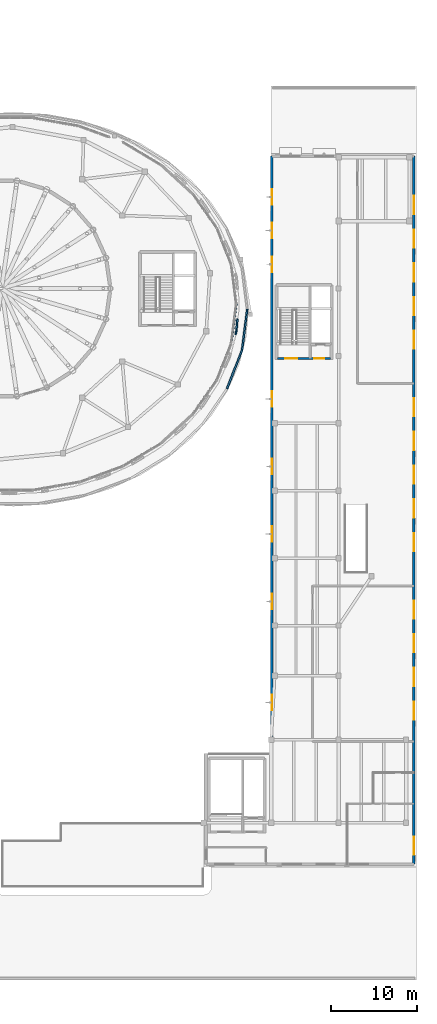
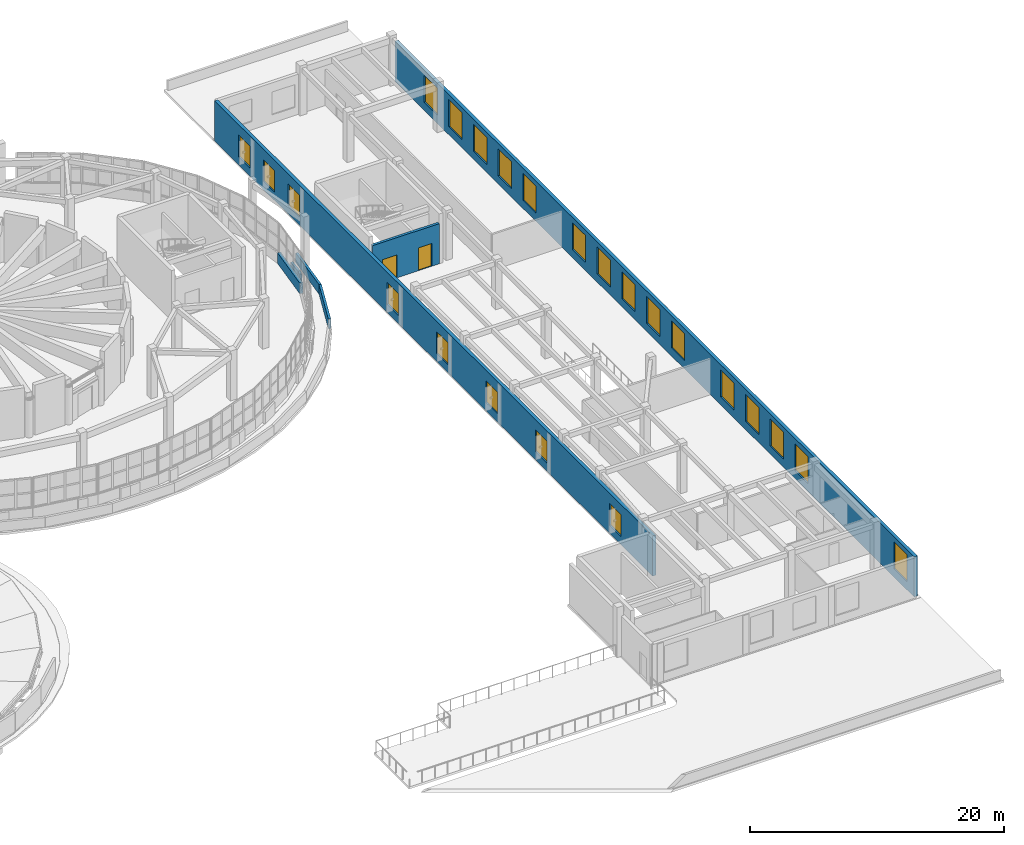
# One storey, part 62 of 69: 23 windows, 8 walls, 2 doors, 25 openings.
"""IFC4 building model written with IfcOpenShell, lengths in metres."""

from ifc_helpers import new_model, si_unit, direction, frame, frame_2d, origin, place, context, subcontext, project, spatial, rectangle, extrude, material, layer, layer_set, type_object, element, fill, save


model = new_model("IFC4")

# Units and contexts
model_context = context("Model", 3, precision=1e-05, world=origin(), true_north=direction((0.0, 1.0)))
body_context = subcontext(model_context, "Body", "Model", "MODEL_VIEW")
ifc_project = project(units=[si_unit("LENGTHUNIT", "METRE"), si_unit("AREAUNIT", "SQUARE_METRE"), si_unit("VOLUMEUNIT", "CUBIC_METRE"), si_unit("PLANEANGLEUNIT", "RADIAN"), si_unit("MASSUNIT", "GRAM", prefix="KILO")], contexts=[model_context])

# Site, building, storey
site_placement = place(None, origin())
site = spatial("IfcSite", under=ifc_project, at=site_placement, CompositionType="ELEMENT")
building_placement = place(site_placement, origin())
building = spatial("IfcBuilding", under=site, at=building_placement, Name="Pelvatis Terrace Science Centre", CompositionType="ELEMENT")
storey_placement = place(building_placement, frame((0.0, 0.0, 15.0)))
storey = spatial("IfcBuildingStorey", under=building, at=storey_placement, Name="L03", CompositionType="ELEMENT", Elevation=15.0)

# Wall, openings, windows
ifc_material_1 = material(Name="Precast concrete C35/45 architectural stone", Category="masonry")
ifc_layer_1 = layer(ifc_material_1, 0.294921875)
ifc_layer_set_1 = layer_set([ifc_layer_1], Name="Precast concrete C35/45 architectural stone")
wall_type_1 = type_object("IfcWallType", Name="WL-EXT-PREC-295", PredefinedType="SOLIDWALL", material=ifc_layer_set_1)
wall_1_placement = place(storey_placement, frame((156.89990234375, 19.199951171875, 0.0), z_axis=(0.0, 0.0, 1.0), x_axis=(0.0, 1.0, 0.0)))
wall_1 = element("IfcWall", 1, at=wall_1_placement, inside=storey, type_object=wall_type_1, Name="Exterior classical Art Deco facade wall EW-L03-E", PredefinedType="SOLIDWALL", context=body_context, shape_type="SweptSolid", body=[
    extrude(rectangle(XDim=81.900146484375, YDim=0.294921875, at=frame_2d((40.9501953125, 0.0))), origin(), (0.0, 0.0, 1.0), 3.8701171875),
])
opening_1_placement = place(wall_1_placement, frame((1.10009765625, 0.0, 0.780029296875)))
opening_1 = element("IfcOpeningElement", 2, at=opening_1_placement, cuts=wall_1, Name="Opening W-099", PredefinedType="OPENING", context=body_context, shape_type="SweptSolid", body=[
    extrude(rectangle(XDim=2.10009765625, YDim=2.60009765625, at=frame_2d((1.050048828125, 1.300048828125))), frame((0.0, 0.157470703125, 0.0), z_axis=(0.0, -1.0, 0.0), x_axis=(1.0, 0.0, 0.0)), (0.0, 0.0, 1.0), 0.31494140625),
])
opening_2_placement = place(wall_1_placement, frame((16.699951171875, 0.0, 0.780029296875)))
opening_2 = element("IfcOpeningElement", 3, at=opening_2_placement, cuts=wall_1, Name="Opening W-100", PredefinedType="OPENING", context=body_context, shape_type="SweptSolid", body=[
    extrude(rectangle(XDim=2.10009765625, YDim=2.60009765625, at=frame_2d((1.050048828125, 1.300048828125))), frame((0.0, 0.157470703125, 0.0), z_axis=(0.0, -1.0, 0.0), x_axis=(1.0, 0.0, 0.0)), (0.0, 0.0, 1.0), 0.31494140625),
])
opening_3_placement = place(wall_1_placement, frame((20.60009765625, 0.0, 0.780029296875)))
opening_3 = element("IfcOpeningElement", 4, at=opening_3_placement, cuts=wall_1, Name="Opening W-101", PredefinedType="OPENING", context=body_context, shape_type="SweptSolid", body=[
    extrude(rectangle(XDim=2.10009765625, YDim=2.60009765625, at=frame_2d((1.050048828125, 1.300048828125))), frame((0.0, 0.157470703125, 0.0), z_axis=(0.0, -1.0, 0.0), x_axis=(1.0, 0.0, 0.0)), (0.0, 0.0, 1.0), 0.31494140625),
])
opening_4_placement = place(wall_1_placement, frame((24.5, 0.0, 0.780029296875)))
opening_4 = element("IfcOpeningElement", 5, at=opening_4_placement, cuts=wall_1, Name="Opening W-102", PredefinedType="OPENING", context=body_context, shape_type="SweptSolid", body=[
    extrude(rectangle(XDim=2.10009765625, YDim=2.60009765625, at=frame_2d((1.050048828125, 1.300048828125))), frame((0.0, 0.157470703125, 0.0), z_axis=(0.0, -1.0, 0.0), x_axis=(1.0, 0.0, 0.0)), (0.0, 0.0, 1.0), 0.31494140625),
])
opening_5_placement = place(wall_1_placement, frame((28.39990234375, 0.0, 0.780029296875)))
opening_5 = element("IfcOpeningElement", 6, at=opening_5_placement, cuts=wall_1, Name="Opening W-103", PredefinedType="OPENING", context=body_context, shape_type="SweptSolid", body=[
    extrude(rectangle(XDim=2.10009765625, YDim=2.60009765625, at=frame_2d((1.050048828125, 1.300048828125))), frame((0.0, 0.157470703125, 0.0), z_axis=(0.0, -1.0, 0.0), x_axis=(1.0, 0.0, 0.0)), (0.0, 0.0, 1.0), 0.31494140625),
])
opening_6_placement = place(wall_1_placement, frame((36.199951171875, 0.0, 0.780029296875)))
opening_6 = element("IfcOpeningElement", 7, at=opening_6_placement, cuts=wall_1, Name="Opening W-104", PredefinedType="OPENING", context=body_context, shape_type="SweptSolid", body=[
    extrude(rectangle(XDim=2.10009765625, YDim=2.60009765625, at=frame_2d((1.050048828125, 1.300048828125))), frame((0.0, 0.157470703125, 0.0), z_axis=(0.0, -1.0, 0.0), x_axis=(1.0, 0.0, 0.0)), (0.0, 0.0, 1.0), 0.31494140625),
])
opening_7_placement = place(wall_1_placement, frame((40.10009765625, 0.0, 0.780029296875)))
opening_7 = element("IfcOpeningElement", 8, at=opening_7_placement, cuts=wall_1, Name="Opening W-105", PredefinedType="OPENING", context=body_context, shape_type="SweptSolid", body=[
    extrude(rectangle(XDim=2.10009765625, YDim=2.60009765625, at=frame_2d((1.050048828125, 1.300048828125))), frame((0.0, 0.157470703125, 0.0), z_axis=(0.0, -1.0, 0.0), x_axis=(1.0, 0.0, 0.0)), (0.0, 0.0, 1.0), 0.31494140625),
])
opening_8_placement = place(wall_1_placement, frame((44.0, 0.0, 0.780029296875)))
opening_8 = element("IfcOpeningElement", 9, at=opening_8_placement, cuts=wall_1, Name="Opening W-106", PredefinedType="OPENING", context=body_context, shape_type="SweptSolid", body=[
    extrude(rectangle(XDim=2.10009765625, YDim=2.60009765625, at=frame_2d((1.050048828125, 1.300048828125))), frame((0.0, 0.157470703125, 0.0), z_axis=(0.0, -1.0, 0.0), x_axis=(1.0, 0.0, 0.0)), (0.0, 0.0, 1.0), 0.31494140625),
])
opening_9_placement = place(wall_1_placement, frame((47.89990234375, 0.0, 0.780029296875)))
opening_9 = element("IfcOpeningElement", 10, at=opening_9_placement, cuts=wall_1, Name="Opening W-107", PredefinedType="OPENING", context=body_context, shape_type="SweptSolid", body=[
    extrude(rectangle(XDim=2.10009765625, YDim=2.60009765625, at=frame_2d((1.050048828125, 1.300048828125))), frame((0.0, 0.157470703125, 0.0), z_axis=(0.0, -1.0, 0.0), x_axis=(1.0, 0.0, 0.0)), (0.0, 0.0, 1.0), 0.31494140625),
])
opening_10_placement = place(wall_1_placement, frame((51.800048828125, 0.0, 0.780029296875)))
opening_10 = element("IfcOpeningElement", 11, at=opening_10_placement, cuts=wall_1, Name="Opening W-108", PredefinedType="OPENING", context=body_context, shape_type="SweptSolid", body=[
    extrude(rectangle(XDim=2.10009765625, YDim=2.60009765625, at=frame_2d((1.050048828125, 1.300048828125))), frame((0.0, 0.157470703125, 0.0), z_axis=(0.0, -1.0, 0.0), x_axis=(1.0, 0.0, 0.0)), (0.0, 0.0, 1.0), 0.31494140625),
])
opening_11_placement = place(wall_1_placement, frame((59.60009765625, 0.0, 0.780029296875)))
opening_11 = element("IfcOpeningElement", 12, at=opening_11_placement, cuts=wall_1, Name="Opening W-109", PredefinedType="OPENING", context=body_context, shape_type="SweptSolid", body=[
    extrude(rectangle(XDim=2.10009765625, YDim=2.60009765625, at=frame_2d((1.050048828125, 1.300048828125))), frame((0.0, 0.157470703125, 0.0), z_axis=(0.0, -1.0, 0.0), x_axis=(1.0, 0.0, 0.0)), (0.0, 0.0, 1.0), 0.31494140625),
])
opening_12_placement = place(wall_1_placement, frame((63.5, 0.0, 0.780029296875)))
opening_12 = element("IfcOpeningElement", 13, at=opening_12_placement, cuts=wall_1, Name="Opening W-110", PredefinedType="OPENING", context=body_context, shape_type="SweptSolid", body=[
    extrude(rectangle(XDim=2.10009765625, YDim=2.60009765625, at=frame_2d((1.050048828125, 1.300048828125))), frame((0.0, 0.157470703125, 0.0), z_axis=(0.0, -1.0, 0.0), x_axis=(1.0, 0.0, 0.0)), (0.0, 0.0, 1.0), 0.31494140625),
])
opening_13_placement = place(wall_1_placement, frame((67.39990234375, 0.0, 0.780029296875)))
opening_13 = element("IfcOpeningElement", 14, at=opening_13_placement, cuts=wall_1, Name="Opening W-111", PredefinedType="OPENING", context=body_context, shape_type="SweptSolid", body=[
    extrude(rectangle(XDim=2.10009765625, YDim=2.60009765625, at=frame_2d((1.050048828125, 1.300048828125))), frame((0.0, 0.157470703125, 0.0), z_axis=(0.0, -1.0, 0.0), x_axis=(1.0, 0.0, 0.0)), (0.0, 0.0, 1.0), 0.31494140625),
])
opening_14_placement = place(wall_1_placement, frame((71.300048828125, 0.0, 0.780029296875)))
opening_14 = element("IfcOpeningElement", 15, at=opening_14_placement, cuts=wall_1, Name="Opening W-112", PredefinedType="OPENING", context=body_context, shape_type="SweptSolid", body=[
    extrude(rectangle(XDim=2.10009765625, YDim=2.60009765625, at=frame_2d((1.050048828125, 1.300048828125))), frame((0.0, 0.157470703125, 0.0), z_axis=(0.0, -1.0, 0.0), x_axis=(1.0, 0.0, 0.0)), (0.0, 0.0, 1.0), 0.31494140625),
])
opening_15_placement = place(wall_1_placement, frame((75.199951171875, 0.0, 0.780029296875)))
opening_15 = element("IfcOpeningElement", 16, at=opening_15_placement, cuts=wall_1, Name="Opening W-113", PredefinedType="OPENING", context=body_context, shape_type="SweptSolid", body=[
    extrude(rectangle(XDim=2.10009765625, YDim=2.60009765625, at=frame_2d((1.050048828125, 1.300048828125))), frame((0.0, 0.157470703125, 0.0), z_axis=(0.0, -1.0, 0.0), x_axis=(1.0, 0.0, 0.0)), (0.0, 0.0, 1.0), 0.31494140625),
])
ifc_material_2 = material(Name="Bronze-anodised aluminium and laminated low-e glass", Category="aluminium")
window_type_1 = type_object("IfcWindowType", Name="WIN-AD-2100x2600", PartitioningType="SINGLE_PANEL", PredefinedType="WINDOW", material=ifc_material_2)
window_1_placement = place(opening_1_placement, origin())
window_1 = element("IfcWindow", 17, at=window_1_placement, inside=storey, type_object=window_type_1, Name="Art Deco facade window W-099 (L03)", OverallHeight=2.60009765625, OverallWidth=2.10009765625, PartitioningType="SINGLE_PANEL", PredefinedType="WINDOW", context=body_context, shape_type="SweptSolid", body=[
    extrude(rectangle(XDim=2.10009765625, YDim=2.60009765625, at=frame_2d((1.050048828125, 1.300048828125))), frame((0.0, 0.030029296875, 0.0), z_axis=(0.0, -1.0, 0.0), x_axis=(1.0, 0.0, 0.0)), (0.0, 0.0, 1.0), 0.06005859375),
])
fill(opening_1, window_1)
window_2_placement = place(opening_2_placement, origin())
window_2 = element("IfcWindow", 18, at=window_2_placement, inside=storey, type_object=window_type_1, Name="Art Deco facade window W-100 (L03)", OverallHeight=2.60009765625, OverallWidth=2.10009765625, PartitioningType="SINGLE_PANEL", PredefinedType="WINDOW", context=body_context, shape_type="SweptSolid", body=[
    extrude(rectangle(XDim=2.10009765625, YDim=2.60009765625, at=frame_2d((1.050048828125, 1.300048828125))), frame((0.0, 0.030029296875, 0.0), z_axis=(0.0, -1.0, 0.0), x_axis=(1.0, 0.0, 0.0)), (0.0, 0.0, 1.0), 0.06005859375),
])
fill(opening_2, window_2)
window_3_placement = place(opening_3_placement, origin())
window_3 = element("IfcWindow", 19, at=window_3_placement, inside=storey, type_object=window_type_1, Name="Art Deco facade window W-101 (L03)", OverallHeight=2.60009765625, OverallWidth=2.10009765625, PartitioningType="SINGLE_PANEL", PredefinedType="WINDOW", context=body_context, shape_type="SweptSolid", body=[
    extrude(rectangle(XDim=2.10009765625, YDim=2.60009765625, at=frame_2d((1.050048828125, 1.300048828125))), frame((0.0, 0.030029296875, 0.0), z_axis=(0.0, -1.0, 0.0), x_axis=(1.0, 0.0, 0.0)), (0.0, 0.0, 1.0), 0.06005859375),
])
fill(opening_3, window_3)
window_4_placement = place(opening_4_placement, origin())
window_4 = element("IfcWindow", 20, at=window_4_placement, inside=storey, type_object=window_type_1, Name="Art Deco facade window W-102 (L03)", OverallHeight=2.60009765625, OverallWidth=2.10009765625, PartitioningType="SINGLE_PANEL", PredefinedType="WINDOW", context=body_context, shape_type="SweptSolid", body=[
    extrude(rectangle(XDim=2.10009765625, YDim=2.60009765625, at=frame_2d((1.050048828125, 1.300048828125))), frame((0.0, 0.030029296875, 0.0), z_axis=(0.0, -1.0, 0.0), x_axis=(1.0, 0.0, 0.0)), (0.0, 0.0, 1.0), 0.06005859375),
])
fill(opening_4, window_4)
window_5_placement = place(opening_5_placement, origin())
window_5 = element("IfcWindow", 21, at=window_5_placement, inside=storey, type_object=window_type_1, Name="Art Deco facade window W-103 (L03)", OverallHeight=2.60009765625, OverallWidth=2.10009765625, PartitioningType="SINGLE_PANEL", PredefinedType="WINDOW", context=body_context, shape_type="SweptSolid", body=[
    extrude(rectangle(XDim=2.10009765625, YDim=2.60009765625, at=frame_2d((1.050048828125, 1.300048828125))), frame((0.0, 0.030029296875, 0.0), z_axis=(0.0, -1.0, 0.0), x_axis=(1.0, 0.0, 0.0)), (0.0, 0.0, 1.0), 0.06005859375),
])
fill(opening_5, window_5)
window_6_placement = place(opening_6_placement, origin())
window_6 = element("IfcWindow", 22, at=window_6_placement, inside=storey, type_object=window_type_1, Name="Art Deco facade window W-104 (L03)", OverallHeight=2.60009765625, OverallWidth=2.10009765625, PartitioningType="SINGLE_PANEL", PredefinedType="WINDOW", context=body_context, shape_type="SweptSolid", body=[
    extrude(rectangle(XDim=2.10009765625, YDim=2.60009765625, at=frame_2d((1.050048828125, 1.300048828125))), frame((0.0, 0.030029296875, 0.0), z_axis=(0.0, -1.0, 0.0), x_axis=(1.0, 0.0, 0.0)), (0.0, 0.0, 1.0), 0.06005859375),
])
fill(opening_6, window_6)
window_7_placement = place(opening_7_placement, origin())
window_7 = element("IfcWindow", 23, at=window_7_placement, inside=storey, type_object=window_type_1, Name="Art Deco facade window W-105 (L03)", OverallHeight=2.60009765625, OverallWidth=2.10009765625, PartitioningType="SINGLE_PANEL", PredefinedType="WINDOW", context=body_context, shape_type="SweptSolid", body=[
    extrude(rectangle(XDim=2.10009765625, YDim=2.60009765625, at=frame_2d((1.050048828125, 1.300048828125))), frame((0.0, 0.030029296875, 0.0), z_axis=(0.0, -1.0, 0.0), x_axis=(1.0, 0.0, 0.0)), (0.0, 0.0, 1.0), 0.06005859375),
])
fill(opening_7, window_7)
window_8_placement = place(opening_8_placement, origin())
window_8 = element("IfcWindow", 24, at=window_8_placement, inside=storey, type_object=window_type_1, Name="Art Deco facade window W-106 (L03)", OverallHeight=2.60009765625, OverallWidth=2.10009765625, PartitioningType="SINGLE_PANEL", PredefinedType="WINDOW", context=body_context, shape_type="SweptSolid", body=[
    extrude(rectangle(XDim=2.10009765625, YDim=2.60009765625, at=frame_2d((1.050048828125, 1.300048828125))), frame((0.0, 0.030029296875, 0.0), z_axis=(0.0, -1.0, 0.0), x_axis=(1.0, 0.0, 0.0)), (0.0, 0.0, 1.0), 0.06005859375),
])
fill(opening_8, window_8)
window_9_placement = place(opening_9_placement, origin())
window_9 = element("IfcWindow", 25, at=window_9_placement, inside=storey, type_object=window_type_1, Name="Art Deco facade window W-107 (L03)", OverallHeight=2.60009765625, OverallWidth=2.10009765625, PartitioningType="SINGLE_PANEL", PredefinedType="WINDOW", context=body_context, shape_type="SweptSolid", body=[
    extrude(rectangle(XDim=2.10009765625, YDim=2.60009765625, at=frame_2d((1.050048828125, 1.300048828125))), frame((0.0, 0.030029296875, 0.0), z_axis=(0.0, -1.0, 0.0), x_axis=(1.0, 0.0, 0.0)), (0.0, 0.0, 1.0), 0.06005859375),
])
fill(opening_9, window_9)
window_10_placement = place(opening_10_placement, origin())
window_10 = element("IfcWindow", 26, at=window_10_placement, inside=storey, type_object=window_type_1, Name="Art Deco facade window W-108 (L03)", OverallHeight=2.60009765625, OverallWidth=2.10009765625, PartitioningType="SINGLE_PANEL", PredefinedType="WINDOW", context=body_context, shape_type="SweptSolid", body=[
    extrude(rectangle(XDim=2.10009765625, YDim=2.60009765625, at=frame_2d((1.050048828125, 1.300048828125))), frame((0.0, 0.030029296875, 0.0), z_axis=(0.0, -1.0, 0.0), x_axis=(1.0, 0.0, 0.0)), (0.0, 0.0, 1.0), 0.06005859375),
])
fill(opening_10, window_10)
window_11_placement = place(opening_11_placement, origin())
window_11 = element("IfcWindow", 27, at=window_11_placement, inside=storey, type_object=window_type_1, Name="Art Deco facade window W-109 (L03)", OverallHeight=2.60009765625, OverallWidth=2.10009765625, PartitioningType="SINGLE_PANEL", PredefinedType="WINDOW", context=body_context, shape_type="SweptSolid", body=[
    extrude(rectangle(XDim=2.10009765625, YDim=2.60009765625, at=frame_2d((1.050048828125, 1.300048828125))), frame((0.0, 0.030029296875, 0.0), z_axis=(0.0, -1.0, 0.0), x_axis=(1.0, 0.0, 0.0)), (0.0, 0.0, 1.0), 0.06005859375),
])
fill(opening_11, window_11)
window_12_placement = place(opening_12_placement, origin())
window_12 = element("IfcWindow", 28, at=window_12_placement, inside=storey, type_object=window_type_1, Name="Art Deco facade window W-110 (L03)", OverallHeight=2.60009765625, OverallWidth=2.10009765625, PartitioningType="SINGLE_PANEL", PredefinedType="WINDOW", context=body_context, shape_type="SweptSolid", body=[
    extrude(rectangle(XDim=2.10009765625, YDim=2.60009765625, at=frame_2d((1.050048828125, 1.300048828125))), frame((0.0, 0.030029296875, 0.0), z_axis=(0.0, -1.0, 0.0), x_axis=(1.0, 0.0, 0.0)), (0.0, 0.0, 1.0), 0.06005859375),
])
fill(opening_12, window_12)
window_13_placement = place(opening_13_placement, origin())
window_13 = element("IfcWindow", 29, at=window_13_placement, inside=storey, type_object=window_type_1, Name="Art Deco facade window W-111 (L03)", OverallHeight=2.60009765625, OverallWidth=2.10009765625, PartitioningType="SINGLE_PANEL", PredefinedType="WINDOW", context=body_context, shape_type="SweptSolid", body=[
    extrude(rectangle(XDim=2.10009765625, YDim=2.60009765625, at=frame_2d((1.050048828125, 1.300048828125))), frame((0.0, 0.030029296875, 0.0), z_axis=(0.0, -1.0, 0.0), x_axis=(1.0, 0.0, 0.0)), (0.0, 0.0, 1.0), 0.06005859375),
])
fill(opening_13, window_13)
window_14_placement = place(opening_14_placement, origin())
window_14 = element("IfcWindow", 30, at=window_14_placement, inside=storey, type_object=window_type_1, Name="Art Deco facade window W-112 (L03)", OverallHeight=2.60009765625, OverallWidth=2.10009765625, PartitioningType="SINGLE_PANEL", PredefinedType="WINDOW", context=body_context, shape_type="SweptSolid", body=[
    extrude(rectangle(XDim=2.10009765625, YDim=2.60009765625, at=frame_2d((1.050048828125, 1.300048828125))), frame((0.0, 0.030029296875, 0.0), z_axis=(0.0, -1.0, 0.0), x_axis=(1.0, 0.0, 0.0)), (0.0, 0.0, 1.0), 0.06005859375),
])
fill(opening_14, window_14)
window_15_placement = place(opening_15_placement, origin())
window_15 = element("IfcWindow", 31, at=window_15_placement, inside=storey, type_object=window_type_1, Name="Art Deco facade window W-113 (L03)", OverallHeight=2.60009765625, OverallWidth=2.10009765625, PartitioningType="SINGLE_PANEL", PredefinedType="WINDOW", context=body_context, shape_type="SweptSolid", body=[
    extrude(rectangle(XDim=2.10009765625, YDim=2.60009765625, at=frame_2d((1.050048828125, 1.300048828125))), frame((0.0, 0.030029296875, 0.0), z_axis=(0.0, -1.0, 0.0), x_axis=(1.0, 0.0, 0.0)), (0.0, 0.0, 1.0), 0.06005859375),
])
fill(opening_15, window_15)

wall_2_placement = place(storey_placement, frame((140.47998046875, 32.0, 0.0), z_axis=(0.0, 0.0, 1.0), x_axis=(0.0, 1.0, 0.0)))
wall_2 = element("IfcWall", 32, at=wall_2_placement, inside=storey, type_object=wall_type_1, Name="Exterior classical Art Deco facade wall EW-L03-W", PredefinedType="SOLIDWALL", context=body_context, shape_type="SweptSolid", body=[
    extrude(rectangle(XDim=69.10009765625, YDim=0.294921875, at=frame_2d((34.550048828125, 0.0))), origin(), (0.0, 0.0, 1.0), 3.8701171875),
])
opening_16_placement = place(wall_2_placement, frame((5.0, 0.0, 0.780029296875)))
opening_16 = element("IfcOpeningElement", 33, at=opening_16_placement, cuts=wall_2, Name="Opening W-116", PredefinedType="OPENING", context=body_context, shape_type="SweptSolid", body=[
    extrude(rectangle(XDim=1.800048828125, YDim=2.10009765625, at=frame_2d((0.89990234375, 1.050048828125))), frame((0.0, 0.157470703125, 0.0), z_axis=(0.0, -1.0, 0.0), x_axis=(1.0, 0.0, 0.0)), (0.0, 0.0, 1.0), 0.31494140625),
])
opening_17_placement = place(wall_2_placement, frame((16.699951171875, 0.0, 0.780029296875)))
opening_17 = element("IfcOpeningElement", 34, at=opening_17_placement, cuts=wall_2, Name="Opening W-117", PredefinedType="OPENING", context=body_context, shape_type="SweptSolid", body=[
    extrude(rectangle(XDim=1.800048828125, YDim=2.10009765625, at=frame_2d((0.89990234375, 1.050048828125))), frame((0.0, 0.157470703125, 0.0), z_axis=(0.0, -1.0, 0.0), x_axis=(1.0, 0.0, 0.0)), (0.0, 0.0, 1.0), 0.31494140625),
])
opening_18_placement = place(wall_2_placement, frame((24.5, 0.0, 0.780029296875)))
opening_18 = element("IfcOpeningElement", 35, at=opening_18_placement, cuts=wall_2, Name="Opening W-118", PredefinedType="OPENING", context=body_context, shape_type="SweptSolid", body=[
    extrude(rectangle(XDim=1.800048828125, YDim=2.10009765625, at=frame_2d((0.89990234375, 1.050048828125))), frame((0.0, 0.157470703125, 0.0), z_axis=(0.0, -1.0, 0.0), x_axis=(1.0, 0.0, 0.0)), (0.0, 0.0, 1.0), 0.31494140625),
])
opening_19_placement = place(wall_2_placement, frame((32.300048828125, 0.0, 0.780029296875)))
opening_19 = element("IfcOpeningElement", 36, at=opening_19_placement, cuts=wall_2, Name="Opening W-119", PredefinedType="OPENING", context=body_context, shape_type="SweptSolid", body=[
    extrude(rectangle(XDim=1.800048828125, YDim=2.10009765625, at=frame_2d((0.89990234375, 1.050048828125))), frame((0.0, 0.157470703125, 0.0), z_axis=(0.0, -1.0, 0.0), x_axis=(1.0, 0.0, 0.0)), (0.0, 0.0, 1.0), 0.31494140625),
])
opening_20_placement = place(wall_2_placement, frame((40.10009765625, 0.0, 0.780029296875)))
opening_20 = element("IfcOpeningElement", 37, at=opening_20_placement, cuts=wall_2, Name="Opening W-120", PredefinedType="OPENING", context=body_context, shape_type="SweptSolid", body=[
    extrude(rectangle(XDim=1.800048828125, YDim=2.10009765625, at=frame_2d((0.89990234375, 1.050048828125))), frame((0.0, 0.157470703125, 0.0), z_axis=(0.0, -1.0, 0.0), x_axis=(1.0, 0.0, 0.0)), (0.0, 0.0, 1.0), 0.31494140625),
])
opening_21_placement = place(wall_2_placement, frame((55.699951171875, 0.0, 0.780029296875)))
opening_21 = element("IfcOpeningElement", 38, at=opening_21_placement, cuts=wall_2, Name="Opening W-121", PredefinedType="OPENING", context=body_context, shape_type="SweptSolid", body=[
    extrude(rectangle(XDim=1.800048828125, YDim=2.10009765625, at=frame_2d((0.89990234375, 1.050048828125))), frame((0.0, 0.157470703125, 0.0), z_axis=(0.0, -1.0, 0.0), x_axis=(1.0, 0.0, 0.0)), (0.0, 0.0, 1.0), 0.31494140625),
])
opening_22_placement = place(wall_2_placement, frame((59.60009765625, 0.0, 0.780029296875)))
opening_22 = element("IfcOpeningElement", 39, at=opening_22_placement, cuts=wall_2, Name="Opening W-122", PredefinedType="OPENING", context=body_context, shape_type="SweptSolid", body=[
    extrude(rectangle(XDim=1.800048828125, YDim=2.10009765625, at=frame_2d((0.89990234375, 1.050048828125))), frame((0.0, 0.157470703125, 0.0), z_axis=(0.0, -1.0, 0.0), x_axis=(1.0, 0.0, 0.0)), (0.0, 0.0, 1.0), 0.31494140625),
])
opening_23_placement = place(wall_2_placement, frame((63.5, 0.0, 0.780029296875)))
opening_23 = element("IfcOpeningElement", 40, at=opening_23_placement, cuts=wall_2, Name="Opening W-123", PredefinedType="OPENING", context=body_context, shape_type="SweptSolid", body=[
    extrude(rectangle(XDim=1.800048828125, YDim=2.10009765625, at=frame_2d((0.89990234375, 1.050048828125))), frame((0.0, 0.157470703125, 0.0), z_axis=(0.0, -1.0, 0.0), x_axis=(1.0, 0.0, 0.0)), (0.0, 0.0, 1.0), 0.31494140625),
])
ifc_material_3 = material(Name="Bronze-anodised aluminium and laminated low-e glass", Category="aluminium")
window_type_2 = type_object("IfcWindowType", Name="WIN-LAB-1800x2100", PartitioningType="SINGLE_PANEL", PredefinedType="WINDOW", material=ifc_material_3)
window_16_placement = place(opening_16_placement, origin())
window_16 = element("IfcWindow", 41, at=window_16_placement, inside=storey, type_object=window_type_2, Name="Art Deco facade window W-116 (L03)", OverallHeight=2.10009765625, OverallWidth=1.800048828125, PartitioningType="SINGLE_PANEL", PredefinedType="WINDOW", context=body_context, shape_type="SweptSolid", body=[
    extrude(rectangle(XDim=1.800048828125, YDim=2.10009765625, at=frame_2d((0.89990234375, 1.050048828125))), frame((0.0, 0.030029296875, 0.0), z_axis=(0.0, -1.0, 0.0), x_axis=(1.0, 0.0, 0.0)), (0.0, 0.0, 1.0), 0.06005859375),
])
fill(opening_16, window_16)
window_17_placement = place(opening_17_placement, origin())
window_17 = element("IfcWindow", 42, at=window_17_placement, inside=storey, type_object=window_type_2, Name="Art Deco facade window W-117 (L03)", OverallHeight=2.10009765625, OverallWidth=1.800048828125, PartitioningType="SINGLE_PANEL", PredefinedType="WINDOW", context=body_context, shape_type="SweptSolid", body=[
    extrude(rectangle(XDim=1.800048828125, YDim=2.10009765625, at=frame_2d((0.89990234375, 1.050048828125))), frame((0.0, 0.030029296875, 0.0), z_axis=(0.0, -1.0, 0.0), x_axis=(1.0, 0.0, 0.0)), (0.0, 0.0, 1.0), 0.06005859375),
])
fill(opening_17, window_17)
window_18_placement = place(opening_18_placement, origin())
window_18 = element("IfcWindow", 43, at=window_18_placement, inside=storey, type_object=window_type_2, Name="Art Deco facade window W-118 (L03)", OverallHeight=2.10009765625, OverallWidth=1.800048828125, PartitioningType="SINGLE_PANEL", PredefinedType="WINDOW", context=body_context, shape_type="SweptSolid", body=[
    extrude(rectangle(XDim=1.800048828125, YDim=2.10009765625, at=frame_2d((0.89990234375, 1.050048828125))), frame((0.0, 0.030029296875, 0.0), z_axis=(0.0, -1.0, 0.0), x_axis=(1.0, 0.0, 0.0)), (0.0, 0.0, 1.0), 0.06005859375),
])
fill(opening_18, window_18)
window_19_placement = place(opening_19_placement, origin())
window_19 = element("IfcWindow", 44, at=window_19_placement, inside=storey, type_object=window_type_2, Name="Art Deco facade window W-119 (L03)", OverallHeight=2.10009765625, OverallWidth=1.800048828125, PartitioningType="SINGLE_PANEL", PredefinedType="WINDOW", context=body_context, shape_type="SweptSolid", body=[
    extrude(rectangle(XDim=1.800048828125, YDim=2.10009765625, at=frame_2d((0.89990234375, 1.050048828125))), frame((0.0, 0.030029296875, 0.0), z_axis=(0.0, -1.0, 0.0), x_axis=(1.0, 0.0, 0.0)), (0.0, 0.0, 1.0), 0.06005859375),
])
fill(opening_19, window_19)
window_20_placement = place(opening_20_placement, origin())
window_20 = element("IfcWindow", 45, at=window_20_placement, inside=storey, type_object=window_type_2, Name="Art Deco facade window W-120 (L03)", OverallHeight=2.10009765625, OverallWidth=1.800048828125, PartitioningType="SINGLE_PANEL", PredefinedType="WINDOW", context=body_context, shape_type="SweptSolid", body=[
    extrude(rectangle(XDim=1.800048828125, YDim=2.10009765625, at=frame_2d((0.89990234375, 1.050048828125))), frame((0.0, 0.030029296875, 0.0), z_axis=(0.0, -1.0, 0.0), x_axis=(1.0, 0.0, 0.0)), (0.0, 0.0, 1.0), 0.06005859375),
])
fill(opening_20, window_20)
window_21_placement = place(opening_21_placement, origin())
window_21 = element("IfcWindow", 46, at=window_21_placement, inside=storey, type_object=window_type_2, Name="Art Deco facade window W-121 (L03)", OverallHeight=2.10009765625, OverallWidth=1.800048828125, PartitioningType="SINGLE_PANEL", PredefinedType="WINDOW", context=body_context, shape_type="SweptSolid", body=[
    extrude(rectangle(XDim=1.800048828125, YDim=2.10009765625, at=frame_2d((0.89990234375, 1.050048828125))), frame((0.0, 0.030029296875, 0.0), z_axis=(0.0, -1.0, 0.0), x_axis=(1.0, 0.0, 0.0)), (0.0, 0.0, 1.0), 0.06005859375),
])
fill(opening_21, window_21)
window_22_placement = place(opening_22_placement, origin())
window_22 = element("IfcWindow", 47, at=window_22_placement, inside=storey, type_object=window_type_2, Name="Art Deco facade window W-122 (L03)", OverallHeight=2.10009765625, OverallWidth=1.800048828125, PartitioningType="SINGLE_PANEL", PredefinedType="WINDOW", context=body_context, shape_type="SweptSolid", body=[
    extrude(rectangle(XDim=1.800048828125, YDim=2.10009765625, at=frame_2d((0.89990234375, 1.050048828125))), frame((0.0, 0.030029296875, 0.0), z_axis=(0.0, -1.0, 0.0), x_axis=(1.0, 0.0, 0.0)), (0.0, 0.0, 1.0), 0.06005859375),
])
fill(opening_22, window_22)
window_23_placement = place(opening_23_placement, origin())
window_23 = element("IfcWindow", 48, at=window_23_placement, inside=storey, type_object=window_type_2, Name="Art Deco facade window W-123 (L03)", OverallHeight=2.10009765625, OverallWidth=1.800048828125, PartitioningType="SINGLE_PANEL", PredefinedType="WINDOW", context=body_context, shape_type="SweptSolid", body=[
    extrude(rectangle(XDim=1.800048828125, YDim=2.10009765625, at=frame_2d((0.89990234375, 1.050048828125))), frame((0.0, 0.030029296875, 0.0), z_axis=(0.0, -1.0, 0.0), x_axis=(1.0, 0.0, 0.0)), (0.0, 0.0, 1.0), 0.06005859375),
])
fill(opening_23, window_23)

# Wall
ifc_material_4 = material(Name="White architectural precast concrete C40/50 spandrel", Category="concrete")
ifc_layer_2 = layer(ifc_material_4, 0.27490234375)
ifc_layer_set_2 = layer_set([ifc_layer_2], Name="White architectural precast concrete C40/50 spandrel")
wall_type_2 = type_object("IfcWallType", Name="WL-EXT-SPND-275", PredefinedType="SOLIDWALL", material=ifc_layer_set_2)
wall_3_placement = place(storey_placement, frame((135.7763671875, 79.498779296875, 0.0), z_axis=(0.0, 0.0, 1.0), x_axis=(0.126438143935, 0.991974493502, 0.0)))
element("IfcWall", 49, at=wall_3_placement, inside=storey, type_object=wall_type_2, Name="V1 white spiral spandrel band 30 (L03)", PredefinedType="SOLIDWALL", context=body_context, shape_type="SweptSolid", body=[
    extrude(rectangle(XDim=4.53759765625, YDim=0.27490234375, at=frame_2d((2.268798828125, 0.0))), origin(), (0.0, 0.0, 1.0), 1.02001953125),
])

# Wall, openings, doors
ifc_material_5 = material(Name="Concrete C35/45 shaft enclosure wall", Category="concrete")
ifc_layer_3 = layer(ifc_material_5, 0.239990234375)
ifc_layer_set_3 = layer_set([ifc_layer_3], Name="Concrete C35/45 shaft enclosure wall")
wall_type_3 = type_object("IfcWallType", Name="WL-INT-CORE-240", PredefinedType="PARTITIONING", material=ifc_layer_set_3)
wall_4_placement = place(storey_placement, frame((141.14990234375, 77.719970703125, 0.0), z_axis=(0.0, 0.0, 1.0), x_axis=(1.0, 0.0, 0.0)))
wall_4 = element("IfcWall", 50, at=wall_4_placement, inside=storey, type_object=wall_type_3, Name="Core C3 fire-rated lobby wall (L03)", PredefinedType="PARTITIONING", context=body_context, shape_type="SweptSolid", body=[
    extrude(rectangle(XDim=6.10009765625, YDim=0.239990234375, at=frame_2d((3.050048828125, 0.0))), origin(), (0.0, 0.0, 1.0), 3.8701171875),
])
opening_24_placement = place(wall_4_placement, frame((0.89990234375, 0.0, 0.0)))
opening_24 = element("IfcOpeningElement", 51, at=opening_24_placement, cuts=wall_4, Name="Opening D-137", PredefinedType="OPENING", context=body_context, shape_type="SweptSolid", body=[
    extrude(rectangle(XDim=1.35009765625, YDim=2.199951171875, at=frame_2d((0.675048828125, 1.10009765625))), frame((0.0, 0.1298828125, 0.0), z_axis=(0.0, -1.0, 0.0), x_axis=(1.0, 0.0, 0.0)), (0.0, 0.0, 1.0), 0.260009765625),
])
opening_25_placement = place(wall_4_placement, frame((4.199951171875, 0.0, 0.0)))
opening_25 = element("IfcOpeningElement", 52, at=opening_25_placement, cuts=wall_4, Name="Opening D-138", PredefinedType="OPENING", context=body_context, shape_type="SweptSolid", body=[
    extrude(rectangle(XDim=1.199951171875, YDim=2.199951171875, at=frame_2d((0.60009765625, 1.10009765625))), frame((0.0, 0.1298828125, 0.0), z_axis=(0.0, -1.0, 0.0), x_axis=(1.0, 0.0, 0.0)), (0.0, 0.0, 1.0), 0.260009765625),
])
ifc_material_6 = material(Name="Steel fire-rated exit stair door", Category="steel")
door_type_1 = type_object("IfcDoorType", Name="DR-STAIR-1200x2200", OperationType="NOTDEFINED", PredefinedType="DOOR", material=ifc_material_6)
door_1_placement = place(opening_25_placement, origin())
door_1 = element("IfcDoor", 53, at=door_1_placement, inside=storey, type_object=door_type_1, Name="Core C3 lift lobby fire door (L03)", OperationType="SINGLE_SWING_RIGHT", OverallHeight=2.199951171875, OverallWidth=1.199951171875, PredefinedType="DOOR", context=body_context, shape_type="SweptSolid", body=[
    extrude(rectangle(XDim=1.199951171875, YDim=2.199951171875, at=frame_2d((0.60009765625, 1.10009765625))), frame((0.0, 0.02490234375, 0.0), z_axis=(0.0, -1.0, 0.0), x_axis=(1.0, 0.0, 0.0)), (0.0, 0.0, 1.0), 0.050048828125),
])
fill(opening_25, door_1)
ifc_material_7 = material(Name="Steel fire-rated protected stair door", Category="steel")
door_type_2 = type_object("IfcDoorType", Name="DR-STAIR-1350x2200", OperationType="NOTDEFINED", PredefinedType="DOOR", material=ifc_material_7)
door_2_placement = place(opening_24_placement, origin())
door_2 = element("IfcDoor", 54, at=door_2_placement, inside=storey, type_object=door_type_2, Name="Core C3 protected stair fire door (L03)", OperationType="SINGLE_SWING_LEFT", OverallHeight=2.199951171875, OverallWidth=1.35009765625, PredefinedType="DOOR", context=body_context, shape_type="SweptSolid", body=[
    extrude(rectangle(XDim=1.35009765625, YDim=2.199951171875, at=frame_2d((0.675048828125, 1.10009765625))), frame((0.0, 0.02490234375, 0.0), z_axis=(0.0, -1.0, 0.0), x_axis=(1.0, 0.0, 0.0)), (0.0, 0.0, 1.0), 0.050048828125),
])
fill(opening_24, door_2)

# Walls
ifc_material_8 = material(Name="White architectural precast concrete C40/50 spandrel parapet", Category="concrete")
ifc_layer_4 = layer(ifc_material_8, 0.18994140625)
ifc_layer_set_4 = layer_set([ifc_layer_4], Name="White architectural precast concrete C40/50 spandrel parapet")
wall_type_4 = type_object("IfcWallType", Name="WL-PAR-190", PredefinedType="PARAPET", material=ifc_layer_set_4)
wall_5_placement = place(storey_placement, frame((136.49072265625, 82.2763671875, 0.0), z_axis=(0.0, 0.0, 1.0), x_axis=(-0.086013495657, -0.996293971961, 0.0)))
element("IfcWall", 55, at=wall_5_placement, inside=storey, type_object=wall_type_4, Name="Perimeter edge closure parapet PW-EDG-L03-358", PredefinedType="PARAPET", context=body_context, shape_type="SweptSolid", body=[
    extrude(rectangle(XDim=1.402099609375, YDim=0.18994140625, at=frame_2d((0.701171875, 0.0))), origin(), (0.0, 0.0, 1.0), 1.1201171875),
])
wall_6_placement = place(storey_placement, frame((136.3701171875, 80.87939453125, 0.0), z_axis=(0.0, 0.0, 1.0), x_axis=(-0.25449329928, -0.967074537263, 0.0)))
element("IfcWall", 56, at=wall_6_placement, inside=storey, type_object=wall_type_4, Name="Perimeter edge closure parapet PW-EDG-L03-359", PredefinedType="PARAPET", context=body_context, shape_type="SweptSolid", body=[
    extrude(rectangle(XDim=0.4365234375, YDim=0.18994140625, at=frame_2d((0.21826171875, 0.0))), origin(), (0.0, 0.0, 1.0), 1.1201171875),
])
ifc_material_9 = material(Name="White architectural precast concrete C40/50 spandrel parapet", Category="concrete")
ifc_layer_5 = layer(ifc_material_9, 0.205078125)
ifc_layer_set_5 = layer_set([ifc_layer_5], Name="White architectural precast concrete C40/50 spandrel parapet")
wall_type_5 = type_object("IfcWallType", Name="WL-PAR-205", PredefinedType="PARAPET", material=ifc_layer_set_5)
wall_7_placement = place(storey_placement, frame((135.283935546875, 74.19970703125, 0.0), z_axis=(0.0, 0.0, 1.0), x_axis=(0.361842966646, 0.93223906134, 0.0)))
element("IfcWall", 57, at=wall_7_placement, inside=storey, type_object=wall_type_5, Name="White spiral ring parapet PW-CRV-L03-095", PredefinedType="PARAPET", context=body_context, shape_type="SweptSolid", body=[
    extrude(rectangle(XDim=4.82421875, YDim=0.205078125, at=frame_2d((2.412109375, 0.0))), origin(), (0.0, 0.0, 1.0), 0.919921875),
])
wall_8_placement = place(storey_placement, frame((137.029541015625, 78.697021484375, 0.0), z_axis=(0.0, 0.0, 1.0), x_axis=(0.124598930128, 0.992207189357, 0.0)))
element("IfcWall", 58, at=wall_8_placement, inside=storey, type_object=wall_type_5, Name="White spiral ring parapet PW-CRV-L03-096", PredefinedType="PARAPET", context=body_context, shape_type="SweptSolid", body=[
    extrude(rectangle(XDim=4.73974609375, YDim=0.205078125, at=frame_2d((2.369873046875, 0.0))), origin(), (0.0, 0.0, 1.0), 0.919921875),
])

save(model, "model.ifc")
